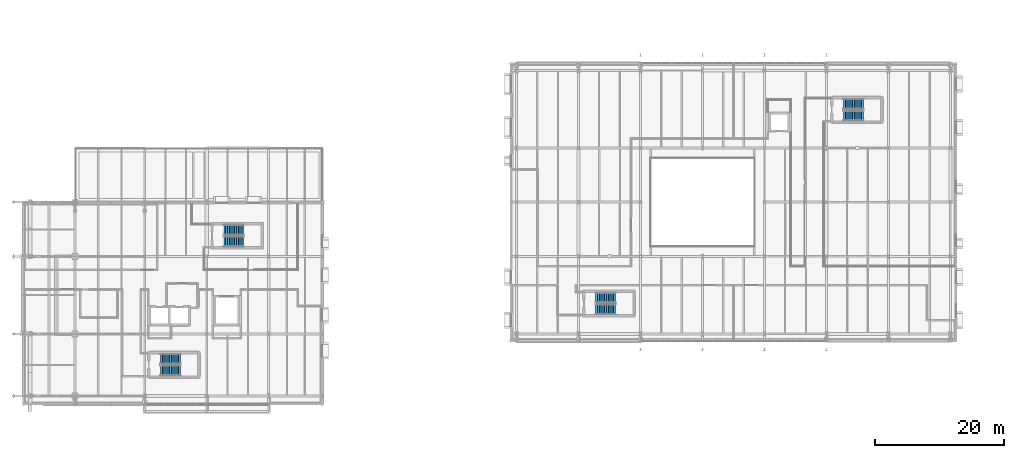
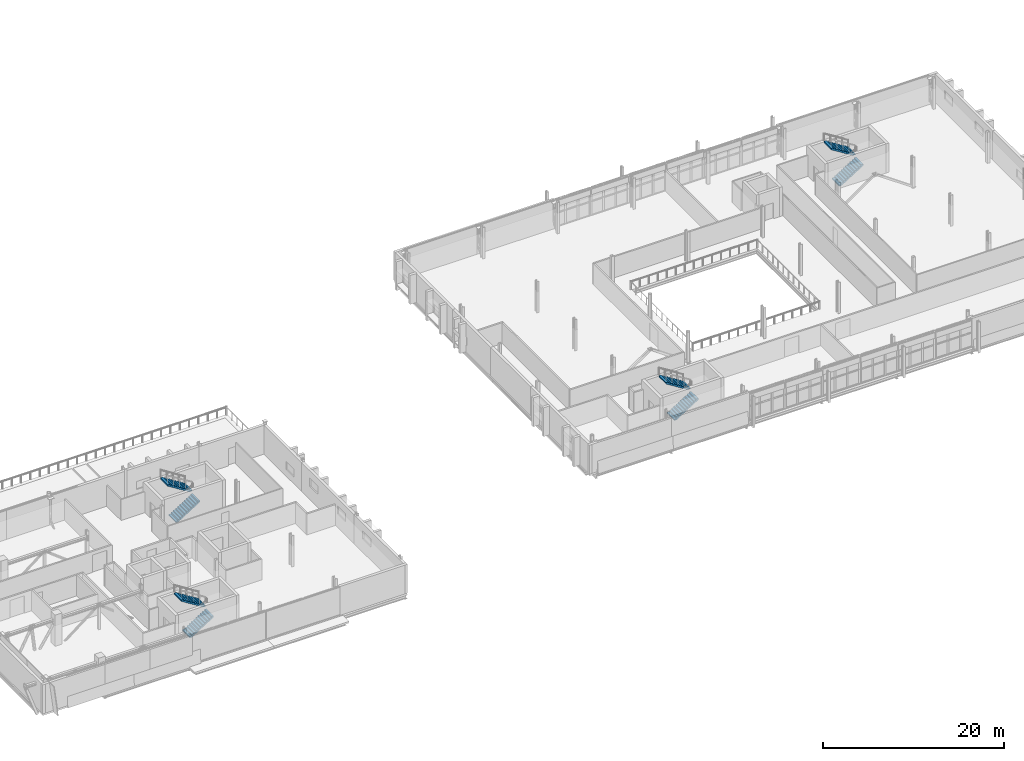
# One storey, part 47 of 57: 8 stair flights, 4 elements without a shape of their own.
"""IFC4 building model written with IfcOpenShell, lengths in metres."""

from ifc_helpers import new_model, si_unit, direction, frame, origin, place, context, subcontext, project, spatial, polyline, outline, extrude, material, type_object, element, aggregate, save


model = new_model("IFC4")

# Units and contexts
model_context = context("Model", 3, precision=1e-05, world=origin(), true_north=direction((0.0, 1.0)))
body_context = subcontext(model_context, "Body", "Model", "MODEL_VIEW")
ifc_project = project(units=[si_unit("LENGTHUNIT", "METRE"), si_unit("AREAUNIT", "SQUARE_METRE"), si_unit("VOLUMEUNIT", "CUBIC_METRE"), si_unit("PLANEANGLEUNIT", "RADIAN"), si_unit("MASSUNIT", "GRAM", prefix="KILO")], contexts=[model_context])

# Site, building, storey
site_placement = place(None, origin())
site = spatial("IfcSite", under=ifc_project, at=site_placement, CompositionType="ELEMENT")
building_placement = place(site_placement, origin())
building = spatial("IfcBuilding", under=site, at=building_placement, Name="Zereglee Splitstone Museum", CompositionType="ELEMENT")
storey_placement = place(building_placement, frame((0.0, 0.0, 17.10009765625)))
storey = spatial("IfcBuildingStorey", under=building, at=storey_placement, Name="L03", CompositionType="ELEMENT", Elevation=17.10009765625)

# Stair, stair flights
ifc_material = material(Name="Concrete C35/45", Category="concrete")
stair_type_1 = type_object("IfcStairType", Name="ST-01B", PredefinedType="HALF_TURN_STAIR", material=ifc_material)
stair_1_placement = place(storey_placement, origin())
stair_1 = element("IfcStair", 1, at=stair_1_placement, inside=storey, type_object=stair_type_1, Name="L03 Protected Exit Stair ST-01 B", PredefinedType="HALF_TURN_STAIR")
stair_flight_type_1 = type_object("IfcStairFlightType", Name="ST-01B", PredefinedType="STRAIGHT", material=ifc_material)
stair_flight_1_placement = place(storey_placement, frame((22.85009765625, 3.89990234375, 0.0), z_axis=(0.0, 0.0, 1.0), x_axis=(1.0, 0.0, 0.0)))
stair_flight_1 = element("IfcStairFlight", 2, at=stair_flight_1_placement, type_object=stair_flight_type_1, Name="ST-01B flight 1", NumberOfRisers=12, NumberOfTreads=11, PredefinedType="STRAIGHT", RiserHeight=0.175, TreadLength=0.28, context=body_context, shape_type="SweptSolid", body=[
    extrude(outline(polyline([(0.0, 0.0), (0.0, 0.175048828125), (0.280029296875, 0.175048828125), (0.280029296875, 0.35009765625), (0.56005859375, 0.35009765625), (0.56005859375, 0.52490234375), (0.840087890625, 0.52490234375), (0.840087890625, 0.699951171875), (1.1201171875, 0.699951171875), (1.1201171875, 0.875), (1.39990234375, 0.875), (1.39990234375, 1.050048828125), (1.679931640625, 1.050048828125), (1.679931640625, 1.22509765625), (1.9599609375, 1.22509765625), (1.9599609375, 1.39990234375), (2.239990234375, 1.39990234375), (2.239990234375, 1.574951171875), (2.52001953125, 1.574951171875), (2.52001953125, 1.75), (2.800048828125, 1.75), (2.800048828125, 1.925048828125), (3.080078125, 1.925048828125), (3.080078125, 2.10009765625), (3.080078125, 1.736328125), (0.3017578125, 0.0), (0.0, 0.0)])), frame((0.0, 0.800048828125, 0.0), z_axis=(0.0, -1.0, 0.0), x_axis=(1.0, 0.0, 0.0)), (0.0, 0.0, 1.0), 1.60009765625),
])
stair_flight_2_placement = place(storey_placement, frame((25.929931640625, 5.699951171875, 2.099853515625), z_axis=(0.0, 0.0, 1.0), x_axis=(-1.0, 0.0, 0.0)))
stair_flight_2 = element("IfcStairFlight", 3, at=stair_flight_2_placement, type_object=stair_flight_type_1, Name="ST-01B flight 2", NumberOfRisers=12, NumberOfTreads=11, PredefinedType="STRAIGHT", RiserHeight=0.175, TreadLength=0.28, context=body_context, shape_type="SweptSolid", body=[
    extrude(outline(polyline([(0.0, 0.0), (0.0, 0.175048828125), (0.280029296875, 0.175048828125), (0.280029296875, 0.35009765625), (0.56005859375, 0.35009765625), (0.56005859375, 0.52490234375), (0.840087890625, 0.52490234375), (0.840087890625, 0.699951171875), (1.1201171875, 0.699951171875), (1.1201171875, 0.875), (1.39990234375, 0.875), (1.39990234375, 1.050048828125), (1.679931640625, 1.050048828125), (1.679931640625, 1.22509765625), (1.9599609375, 1.22509765625), (1.9599609375, 1.39990234375), (2.239990234375, 1.39990234375), (2.239990234375, 1.574951171875), (2.52001953125, 1.574951171875), (2.52001953125, 1.75), (2.800048828125, 1.75), (2.800048828125, 1.925048828125), (3.080078125, 1.925048828125), (3.080078125, 2.10009765625), (3.080078125, 1.736328125), (0.3017578125, 0.0), (0.0, 0.0)])), frame((0.0, 0.800048828125, 0.0), z_axis=(0.0, -1.0, 0.0), x_axis=(1.0, 0.0, 0.0)), (0.0, 0.0, 1.0), 1.60009765625),
])
aggregate(stair_1, [stair_flight_1, stair_flight_2])

stair_type_2 = type_object("IfcStairType", Name="ST-02B", PredefinedType="HALF_TURN_STAIR", material=ifc_material)
stair_2_placement = place(storey_placement, origin())
stair_2 = element("IfcStair", 4, at=stair_2_placement, inside=storey, type_object=stair_type_2, Name="L03 Protected Exit Stair ST-02 B", PredefinedType="HALF_TURN_STAIR")
stair_flight_type_2 = type_object("IfcStairFlightType", Name="ST-02B", PredefinedType="STRAIGHT", material=ifc_material)
stair_flight_3_placement = place(storey_placement, frame((32.64990234375, 23.89990234375, 0.0), z_axis=(0.0, 0.0, 1.0), x_axis=(1.0, 0.0, 0.0)))
stair_flight_3 = element("IfcStairFlight", 5, at=stair_flight_3_placement, type_object=stair_flight_type_2, Name="ST-02B flight 1", NumberOfRisers=12, NumberOfTreads=11, PredefinedType="STRAIGHT", RiserHeight=0.175, TreadLength=0.28, context=body_context, shape_type="SweptSolid", body=[
    extrude(outline(polyline([(0.0, 0.0), (0.0, 0.175048828125), (0.280029296875, 0.175048828125), (0.280029296875, 0.35009765625), (0.56005859375, 0.35009765625), (0.56005859375, 0.52490234375), (0.840087890625, 0.52490234375), (0.840087890625, 0.699951171875), (1.1201171875, 0.699951171875), (1.1201171875, 0.875), (1.39990234375, 0.875), (1.39990234375, 1.050048828125), (1.679931640625, 1.050048828125), (1.679931640625, 1.22509765625), (1.9599609375, 1.22509765625), (1.9599609375, 1.39990234375), (2.239990234375, 1.39990234375), (2.239990234375, 1.574951171875), (2.52001953125, 1.574951171875), (2.52001953125, 1.75), (2.800048828125, 1.75), (2.800048828125, 1.925048828125), (3.080078125, 1.925048828125), (3.080078125, 2.10009765625), (3.080078125, 1.736328125), (0.3017578125, 0.0), (0.0, 0.0)])), frame((0.0, 0.800048828125, 0.0), z_axis=(0.0, -1.0, 0.0), x_axis=(1.0, 0.0, 0.0)), (0.0, 0.0, 1.0), 1.60009765625),
])
stair_flight_4_placement = place(storey_placement, frame((35.72998046875, 25.699951171875, 2.099853515625), z_axis=(0.0, 0.0, 1.0), x_axis=(-1.0, 0.0, 0.0)))
stair_flight_4 = element("IfcStairFlight", 6, at=stair_flight_4_placement, type_object=stair_flight_type_2, Name="ST-02B flight 2", NumberOfRisers=12, NumberOfTreads=11, PredefinedType="STRAIGHT", RiserHeight=0.175, TreadLength=0.28, context=body_context, shape_type="SweptSolid", body=[
    extrude(outline(polyline([(0.0, 0.0), (0.0, 0.175048828125), (0.280029296875, 0.175048828125), (0.280029296875, 0.35009765625), (0.56005859375, 0.35009765625), (0.56005859375, 0.52490234375), (0.840087890625, 0.52490234375), (0.840087890625, 0.699951171875), (1.1201171875, 0.699951171875), (1.1201171875, 0.875), (1.39990234375, 0.875), (1.39990234375, 1.050048828125), (1.679931640625, 1.050048828125), (1.679931640625, 1.22509765625), (1.9599609375, 1.22509765625), (1.9599609375, 1.39990234375), (2.239990234375, 1.39990234375), (2.239990234375, 1.574951171875), (2.52001953125, 1.574951171875), (2.52001953125, 1.75), (2.800048828125, 1.75), (2.800048828125, 1.925048828125), (3.080078125, 1.925048828125), (3.080078125, 2.10009765625), (3.080078125, 1.736328125), (0.3017578125, 0.0), (0.0, 0.0)])), frame((0.0, 0.800048828125, 0.0), z_axis=(0.0, -1.0, 0.0), x_axis=(1.0, 0.0, 0.0)), (0.0, 0.0, 1.0), 1.60009765625),
])
aggregate(stair_2, [stair_flight_3, stair_flight_4])

stair_type_3 = type_object("IfcStairType", Name="ST-03B", PredefinedType="HALF_TURN_STAIR", material=ifc_material)
stair_3_placement = place(storey_placement, origin())
stair_3 = element("IfcStair", 7, at=stair_3_placement, inside=storey, type_object=stair_type_3, Name="L03 Protected Exit Stair ST-03 B", PredefinedType="HALF_TURN_STAIR")
stair_flight_type_3 = type_object("IfcStairFlightType", Name="ST-03B", PredefinedType="STRAIGHT", material=ifc_material)
stair_flight_5_placement = place(storey_placement, frame((128.64990234375, 43.39990234375, 0.0), z_axis=(0.0, 0.0, 1.0), x_axis=(1.0, 0.0, 0.0)))
stair_flight_5 = element("IfcStairFlight", 8, at=stair_flight_5_placement, type_object=stair_flight_type_3, Name="ST-03B flight 1", NumberOfRisers=12, NumberOfTreads=11, PredefinedType="STRAIGHT", RiserHeight=0.175, TreadLength=0.28, context=body_context, shape_type="SweptSolid", body=[
    extrude(outline(polyline([(0.0, 0.0), (0.0, 0.175048828125), (0.280029296875, 0.175048828125), (0.280029296875, 0.35009765625), (0.56005859375, 0.35009765625), (0.56005859375, 0.52490234375), (0.840087890625, 0.52490234375), (0.840087890625, 0.699951171875), (1.1201171875, 0.699951171875), (1.1201171875, 0.875), (1.39990234375, 0.875), (1.39990234375, 1.050048828125), (1.679931640625, 1.050048828125), (1.679931640625, 1.22509765625), (1.9599609375, 1.22509765625), (1.9599609375, 1.39990234375), (2.239990234375, 1.39990234375), (2.239990234375, 1.574951171875), (2.52001953125, 1.574951171875), (2.52001953125, 1.75), (2.800048828125, 1.75), (2.800048828125, 1.925048828125), (3.080078125, 1.925048828125), (3.080078125, 2.10009765625), (3.080078125, 1.736328125), (0.3017578125, 0.0), (0.0, 0.0)])), frame((0.0, 0.800048828125, 0.0), z_axis=(0.0, -1.0, 0.0), x_axis=(1.0, 0.0, 0.0)), (0.0, 0.0, 1.0), 1.60009765625),
])
stair_flight_6_placement = place(storey_placement, frame((131.72998046875, 45.199951171875, 2.099853515625), z_axis=(0.0, 0.0, 1.0), x_axis=(-1.0, 0.0, 0.0)))
stair_flight_6 = element("IfcStairFlight", 9, at=stair_flight_6_placement, type_object=stair_flight_type_3, Name="ST-03B flight 2", NumberOfRisers=12, NumberOfTreads=11, PredefinedType="STRAIGHT", RiserHeight=0.175, TreadLength=0.28, context=body_context, shape_type="SweptSolid", body=[
    extrude(outline(polyline([(0.0, 0.0), (0.0, 0.175048828125), (0.280029296875, 0.175048828125), (0.280029296875, 0.35009765625), (0.56005859375, 0.35009765625), (0.56005859375, 0.52490234375), (0.840087890625, 0.52490234375), (0.840087890625, 0.699951171875), (1.1201171875, 0.699951171875), (1.1201171875, 0.875), (1.39990234375, 0.875), (1.39990234375, 1.050048828125), (1.679931640625, 1.050048828125), (1.679931640625, 1.22509765625), (1.9599609375, 1.22509765625), (1.9599609375, 1.39990234375), (2.239990234375, 1.39990234375), (2.239990234375, 1.574951171875), (2.52001953125, 1.574951171875), (2.52001953125, 1.75), (2.800048828125, 1.75), (2.800048828125, 1.925048828125), (3.080078125, 1.925048828125), (3.080078125, 2.10009765625), (3.080078125, 1.736328125), (0.3017578125, 0.0), (0.0, 0.0)])), frame((0.0, 0.800048828125, 0.0), z_axis=(0.0, -1.0, 0.0), x_axis=(1.0, 0.0, 0.0)), (0.0, 0.0, 1.0), 1.60009765625),
])
aggregate(stair_3, [stair_flight_5, stair_flight_6])

stair_type_4 = type_object("IfcStairType", Name="ST-06B", PredefinedType="HALF_TURN_STAIR", material=ifc_material)
stair_4_placement = place(storey_placement, origin())
stair_4 = element("IfcStair", 10, at=stair_4_placement, inside=storey, type_object=stair_type_4, Name="L03 Protected Exit Stair ST-06 B", PredefinedType="HALF_TURN_STAIR")
stair_flight_type_4 = type_object("IfcStairFlightType", Name="ST-06B", PredefinedType="STRAIGHT", material=ifc_material)
stair_flight_7_placement = place(storey_placement, frame((90.25, 13.39990234375, 0.0), z_axis=(0.0, 0.0, 1.0), x_axis=(1.0, 0.0, 0.0)))
stair_flight_7 = element("IfcStairFlight", 11, at=stair_flight_7_placement, type_object=stair_flight_type_4, Name="ST-06B flight 1", NumberOfRisers=12, NumberOfTreads=11, PredefinedType="STRAIGHT", RiserHeight=0.175, TreadLength=0.28, context=body_context, shape_type="SweptSolid", body=[
    extrude(outline(polyline([(0.0, 0.0), (0.0, 0.175048828125), (0.280029296875, 0.175048828125), (0.280029296875, 0.35009765625), (0.56005859375, 0.35009765625), (0.56005859375, 0.52490234375), (0.840087890625, 0.52490234375), (0.840087890625, 0.699951171875), (1.1201171875, 0.699951171875), (1.1201171875, 0.875), (1.39990234375, 0.875), (1.39990234375, 1.050048828125), (1.679931640625, 1.050048828125), (1.679931640625, 1.22509765625), (1.9599609375, 1.22509765625), (1.9599609375, 1.39990234375), (2.239990234375, 1.39990234375), (2.239990234375, 1.574951171875), (2.52001953125, 1.574951171875), (2.52001953125, 1.75), (2.800048828125, 1.75), (2.800048828125, 1.925048828125), (3.080078125, 1.925048828125), (3.080078125, 2.10009765625), (3.080078125, 1.736328125), (0.3017578125, 0.0), (0.0, 0.0)])), frame((0.0, 0.800048828125, 0.0), z_axis=(0.0, -1.0, 0.0), x_axis=(1.0, 0.0, 0.0)), (0.0, 0.0, 1.0), 1.60009765625),
])
stair_flight_8_placement = place(storey_placement, frame((93.330078125, 15.199951171875, 2.099853515625), z_axis=(0.0, 0.0, 1.0), x_axis=(-1.0, 0.0, 0.0)))
stair_flight_8 = element("IfcStairFlight", 12, at=stair_flight_8_placement, type_object=stair_flight_type_4, Name="ST-06B flight 2", NumberOfRisers=12, NumberOfTreads=11, PredefinedType="STRAIGHT", RiserHeight=0.175, TreadLength=0.28, context=body_context, shape_type="SweptSolid", body=[
    extrude(outline(polyline([(0.0, 0.0), (0.0, 0.175048828125), (0.280029296875, 0.175048828125), (0.280029296875, 0.35009765625), (0.56005859375, 0.35009765625), (0.56005859375, 0.52490234375), (0.840087890625, 0.52490234375), (0.840087890625, 0.699951171875), (1.1201171875, 0.699951171875), (1.1201171875, 0.875), (1.39990234375, 0.875), (1.39990234375, 1.050048828125), (1.679931640625, 1.050048828125), (1.679931640625, 1.22509765625), (1.9599609375, 1.22509765625), (1.9599609375, 1.39990234375), (2.239990234375, 1.39990234375), (2.239990234375, 1.574951171875), (2.52001953125, 1.574951171875), (2.52001953125, 1.75), (2.800048828125, 1.75), (2.800048828125, 1.925048828125), (3.080078125, 1.925048828125), (3.080078125, 2.10009765625), (3.080078125, 1.736328125), (0.3017578125, 0.0), (0.0, 0.0)])), frame((0.0, 0.800048828125, 0.0), z_axis=(0.0, -1.0, 0.0), x_axis=(1.0, 0.0, 0.0)), (0.0, 0.0, 1.0), 1.60009765625),
])
aggregate(stair_4, [stair_flight_7, stair_flight_8])

save(model, "model.ifc")
